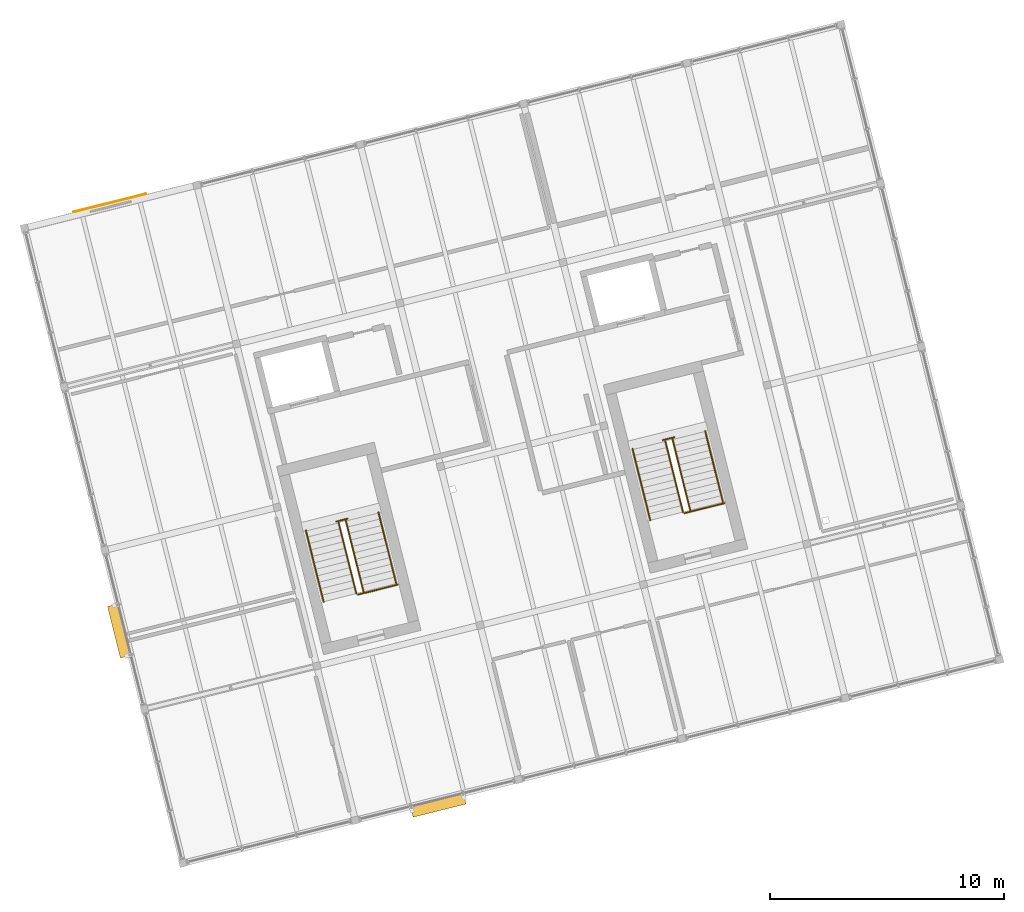
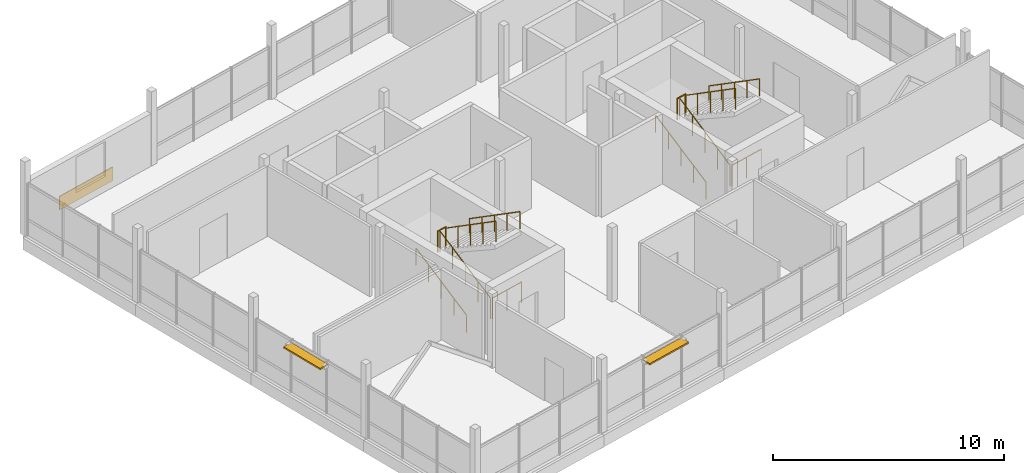
# One storey, part 25 of 25: 12 railings, 2 shading devices, 1 covering.
"""IFC4 building model written with IfcOpenShell, lengths in metres."""

from ifc_helpers import new_model, si_unit, direction, frame, origin, origin_2d, place, context, subcontext, project, spatial, rectangle, circle, extrude, material, layer, layer_set, type_object, element, save


model = new_model("IFC4")

# Units and contexts
model_context = context("Model", 3, precision=1e-05, world=origin(), true_north=direction((0.0, 1.0)))
body_context = subcontext(model_context, "Body", "Model", "MODEL_VIEW")
ifc_project = project(units=[si_unit("LENGTHUNIT", "METRE"), si_unit("AREAUNIT", "SQUARE_METRE"), si_unit("VOLUMEUNIT", "CUBIC_METRE"), si_unit("PLANEANGLEUNIT", "RADIAN"), si_unit("MASSUNIT", "GRAM", prefix="KILO")], contexts=[model_context])

# Site, building, storey
site_placement = place(None, origin())
site = spatial("IfcSite", under=ifc_project, at=site_placement, CompositionType="ELEMENT")
building_placement = place(site_placement, origin())
building = spatial("IfcBuilding", under=site, at=building_placement, Name="Meriwether Solvik Hall", CompositionType="ELEMENT")
storey_placement = place(building_placement, frame((0.0, 0.0, 53.39990234375)))
storey = spatial("IfcBuildingStorey", under=building, at=storey_placement, Name="L13", CompositionType="ELEMENT", Elevation=53.39990234375)

# Covering
ifc_material_1 = material(Name="Acetylated Charred Western Red Cedar Timber", Category="wood")
ifc_layer_1 = layer(ifc_material_1, 0.0400390625)
ifc_layer_set_1 = layer_set([ifc_layer_1], Name="Acetylated Charred Western Red Cedar Timber")
covering_type = type_object("IfcCoveringType", Name="COV-CLAD-TIMB", PredefinedType="CLADDING", material=ifc_layer_set_1)
covering_placement = place(storey_placement, frame((65.474609375, 69.44287109375, 0.080078125), z_axis=(0.0, 0.0, 1.0), x_axis=(0.970295720361, 0.241921919325, 0.0)))
element("IfcCovering", 1, at=covering_placement, inside=storey, type_object=covering_type, Name="L13 Charred Cedar Cladding 3.0", PredefinedType="CLADDING", context=body_context, shape_type="SweptSolid", body=[
    extrude(rectangle(XDim=3.199951171875, YDim=0.0400390625, at=origin_2d()), origin(), (0.0, 0.0, 1.0), 0.719970703125),
])

# Railings
ifc_material_2 = material(Name="Steel A36 Galvanised", Category="steel")
ifc_layer_2 = layer(ifc_material_2, 0.054931640625)
ifc_layer_set_2 = layer_set([ifc_layer_2], Name="Steel A36 Galvanised")
railing_type_1 = type_object("IfcRailingType", Name="RAIL-STR-GUARD", PredefinedType="GUARDRAIL", material=ifc_layer_set_2)
railing_1_placement = place(storey_placement, frame((75.158935546875, 55.81591796875, 1.9501953125)))
element("IfcRailing", 2, at=railing_1_placement, inside=storey, type_object=railing_type_1, Name="Stair ST-01 Landing Guardrail (L13)", PredefinedType="GUARDRAIL", context=body_context, shape_type="SweptSolid", body=[
    extrude(circle(Radius=0.02392578125, at=origin_2d()), frame((0.0, 0.0, 1.09619140625), z_axis=(0.970343250308, 0.241731207299, 0.0), x_axis=(-0.241731207299, 0.970343250308, 0.0)), (0.0, 0.0, 1.0), 0.5),
    extrude(circle(Radius=0.02099609375, at=origin_2d()), origin(), (0.0, 0.0, 1.0), 1.072021484375),
    extrude(circle(Radius=0.02099609375, at=origin_2d()), frame((0.485107421875, 0.120849609375, 0.0)), (0.0, 0.0, 1.0), 1.072021484375),
])
railing_2_placement = place(storey_placement, frame((76.092041015625, 52.69384765625, 0.0)))
element("IfcRailing", 3, at=railing_2_placement, inside=storey, type_object=railing_type_1, Name="Stair ST-01 Well Guardrail (L13)", PredefinedType="GUARDRAIL", context=body_context, shape_type="SweptSolid", body=[
    extrude(circle(Radius=0.02392578125, at=origin_2d()), frame((0.0, 0.0, 1.09619140625), z_axis=(0.970298223594, 0.241911879182, 0.0), x_axis=(-0.241911879182, 0.970298223594, 0.0)), (0.0, 0.0, 1.0), 1.75),
    extrude(circle(Radius=0.02099609375, at=origin_2d()), origin(), (0.0, 0.0, 1.0), 1.072021484375),
    extrude(circle(Radius=0.02099609375, at=origin_2d()), frame((0.84912109375, 0.211669921875, 0.0)), (0.0, 0.0, 1.0), 1.072021484375),
    extrude(circle(Radius=0.02099609375, at=origin_2d()), frame((1.697998046875, 0.42333984375, 0.0)), (0.0, 0.0, 1.0), 1.072021484375),
])
railing_3_placement = place(storey_placement, frame((76.019287109375, 52.737548828125, 0.0)))
element("IfcRailing", 4, at=railing_3_placement, inside=storey, type_object=railing_type_1, Name="Stair ST-01 Flight 1 Inner Guardrail (L13)", PredefinedType="GUARDRAIL", context=body_context, shape_type="SweptSolid", body=[
    extrude(circle(Radius=0.02392578125, at=origin_2d()), frame((0.0, 0.0, 1.09619140625), z_axis=(-0.205445032468, 0.823896074846, 0.528192764516), x_axis=(-0.970288906122, -0.2419492481, 0.0)), (0.0, 0.0, 1.0), 3.692138671875),
    extrude(circle(Radius=0.02099609375, at=origin_2d()), origin(), (0.0, 0.0, 1.0), 1.072021484375),
    extrude(circle(Radius=0.02099609375, at=origin_2d()), frame((-0.189697265625, 0.760498046875, 0.487548828125)), (0.0, 0.0, 1.0), 1.072021484375),
    extrude(circle(Radius=0.02099609375, at=origin_2d()), frame((-0.37939453125, 1.52099609375, 0.97509765625)), (0.0, 0.0, 1.0), 1.072021484375),
    extrude(circle(Radius=0.02099609375, at=origin_2d()), frame((-0.56884765625, 2.281494140625, 1.462646484375)), (0.0, 0.0, 1.0), 1.072021484375),
    extrude(circle(Radius=0.02099609375, at=origin_2d()), frame((-0.758544921875, 3.0419921875, 1.9501953125)), (0.0, 0.0, 1.0), 1.072021484375),
])
railing_4_placement = place(storey_placement, frame((75.5712890625, 55.85693359375, 1.9501953125)))
element("IfcRailing", 5, at=railing_4_placement, inside=storey, type_object=railing_type_1, Name="Stair ST-01 Flight 2 Inner Guardrail (L13)", PredefinedType="GUARDRAIL", context=body_context, shape_type="SweptSolid", body=[
    extrude(circle(Radius=0.02392578125, at=origin_2d()), frame((0.0, 0.0, 1.09619140625), z_axis=(0.205388872055, -0.823936041794, 0.528152260498), x_axis=(0.970307185051, 0.241875932325, 0.0)), (0.0, 0.0, 1.0), 3.692138671875),
    extrude(circle(Radius=0.02099609375, at=origin_2d()), origin(), (0.0, 0.0, 1.0), 1.072021484375),
    extrude(circle(Radius=0.02099609375, at=origin_2d()), frame((0.189453125, -0.760498046875, 0.487548828125)), (0.0, 0.0, 1.0), 1.072021484375),
    extrude(circle(Radius=0.02099609375, at=origin_2d()), frame((0.379150390625, -1.52099609375, 0.97509765625)), (0.0, 0.0, 1.0), 1.072021484375),
    extrude(circle(Radius=0.02099609375, at=origin_2d()), frame((0.56884765625, -2.281494140625, 1.46240234375)), (0.0, 0.0, 1.0), 1.072021484375),
    extrude(circle(Radius=0.02099609375, at=origin_2d()), frame((0.75830078125, -3.0419921875, 1.949951171875)), (0.0, 0.0, 1.0), 1.072021484375),
])
railing_5_placement = place(storey_placement, frame((89.131103515625, 59.299560546875, 1.9501953125)))
element("IfcRailing", 6, at=railing_5_placement, inside=storey, type_object=railing_type_1, Name="Stair ST-02 Landing Guardrail (L13)", PredefinedType="GUARDRAIL", context=body_context, shape_type="SweptSolid", body=[
    extrude(circle(Radius=0.02392578125, at=origin_2d()), frame((0.0, 0.0, 1.09619140625), z_axis=(0.970228607419, 0.242190935722, 0.0), x_axis=(-0.242190935722, 0.970228607419, 0.0)), (0.0, 0.0, 1.0), 0.5),
    extrude(circle(Radius=0.02099609375, at=origin_2d()), origin(), (0.0, 0.0, 1.0), 1.072021484375),
    extrude(circle(Radius=0.02099609375, at=origin_2d()), frame((0.485107421875, 0.12109375, 0.0)), (0.0, 0.0, 1.0), 1.072021484375),
])
railing_6_placement = place(storey_placement, frame((90.064208984375, 56.177490234375, 0.0)))
element("IfcRailing", 7, at=railing_6_placement, inside=storey, type_object=railing_type_1, Name="Stair ST-02 Well Guardrail (L13)", PredefinedType="GUARDRAIL", context=body_context, shape_type="SweptSolid", body=[
    extrude(circle(Radius=0.02392578125, at=origin_2d()), frame((0.0, 0.0, 1.09619140625), z_axis=(0.970298223594, 0.241911879182, 0.0), x_axis=(-0.241911879182, 0.970298223594, 0.0)), (0.0, 0.0, 1.0), 1.75),
    extrude(circle(Radius=0.02099609375, at=origin_2d()), origin(), (0.0, 0.0, 1.0), 1.072021484375),
    extrude(circle(Radius=0.02099609375, at=origin_2d()), frame((0.84912109375, 0.211669921875, 0.0)), (0.0, 0.0, 1.0), 1.072021484375),
    extrude(circle(Radius=0.02099609375, at=origin_2d()), frame((1.697998046875, 0.42333984375, 0.0)), (0.0, 0.0, 1.0), 1.072021484375),
])
railing_7_placement = place(storey_placement, frame((89.991455078125, 56.22119140625, 0.0)))
element("IfcRailing", 8, at=railing_7_placement, inside=storey, type_object=railing_type_1, Name="Stair ST-02 Flight 1 Inner Guardrail (L13)", PredefinedType="GUARDRAIL", context=body_context, shape_type="SweptSolid", body=[
    extrude(circle(Radius=0.02392578125, at=origin_2d()), frame((0.0, 0.0, 1.09619140625), z_axis=(-0.205445032468, 0.823896074846, 0.528192764516), x_axis=(-0.970288906122, -0.2419492481, 0.0)), (0.0, 0.0, 1.0), 3.692138671875),
    extrude(circle(Radius=0.02099609375, at=origin_2d()), origin(), (0.0, 0.0, 1.0), 1.072021484375),
    extrude(circle(Radius=0.02099609375, at=origin_2d()), frame((-0.189697265625, 0.760498046875, 0.487548828125)), (0.0, 0.0, 1.0), 1.072021484375),
    extrude(circle(Radius=0.02099609375, at=origin_2d()), frame((-0.37939453125, 1.52099609375, 0.97509765625)), (0.0, 0.0, 1.0), 1.072021484375),
    extrude(circle(Radius=0.02099609375, at=origin_2d()), frame((-0.56884765625, 2.281494140625, 1.462646484375)), (0.0, 0.0, 1.0), 1.072021484375),
    extrude(circle(Radius=0.02099609375, at=origin_2d()), frame((-0.758544921875, 3.0419921875, 1.9501953125)), (0.0, 0.0, 1.0), 1.072021484375),
])
railing_8_placement = place(storey_placement, frame((89.54345703125, 59.340576171875, 1.9501953125)))
element("IfcRailing", 9, at=railing_8_placement, inside=storey, type_object=railing_type_1, Name="Stair ST-02 Flight 2 Inner Guardrail (L13)", PredefinedType="GUARDRAIL", context=body_context, shape_type="SweptSolid", body=[
    extrude(circle(Radius=0.02392578125, at=origin_2d()), frame((0.0, 0.0, 1.09619140625), z_axis=(0.205452207734, -0.823924849814, 0.528145086313), x_axis=(0.970288906122, 0.2419492481, 0.0)), (0.0, 0.0, 1.0), 3.692138671875),
    extrude(circle(Radius=0.02099609375, at=origin_2d()), origin(), (0.0, 0.0, 1.0), 1.072021484375),
    extrude(circle(Radius=0.02099609375, at=origin_2d()), frame((0.189697265625, -0.760498046875, 0.487548828125)), (0.0, 0.0, 1.0), 1.072021484375),
    extrude(circle(Radius=0.02099609375, at=origin_2d()), frame((0.37939453125, -1.52099609375, 0.97509765625)), (0.0, 0.0, 1.0), 1.072021484375),
    extrude(circle(Radius=0.02099609375, at=origin_2d()), frame((0.56884765625, -2.281494140625, 1.46240234375)), (0.0, 0.0, 1.0), 1.072021484375),
    extrude(circle(Radius=0.02099609375, at=origin_2d()), frame((0.758544921875, -3.0419921875, 1.949951171875)), (0.0, 0.0, 1.0), 1.072021484375),
])
ifc_material_3 = material(Name="Stainless Steel AISI 316", Category="steel")
ifc_layer_3 = layer(ifc_material_3, 0.044921875)
ifc_layer_set_3 = layer_set([ifc_layer_3], Name="Stainless Steel AISI 316")
railing_type_2 = type_object("IfcRailingType", Name="RAIL-STR-HAND", PredefinedType="HANDRAIL", material=ifc_layer_set_3)
railing_9_placement = place(storey_placement, frame((74.6220703125, 52.38916015625, 0.0)))
element("IfcRailing", 10, at=railing_9_placement, inside=storey, type_object=railing_type_2, Name="Stair ST-01 Lower Handrail (L13)", PredefinedType="HANDRAIL", context=body_context, shape_type="SweptSolid", body=[
    extrude(circle(Radius=0.02392578125, at=origin_2d()), frame((0.0, 0.0, 0.89599609375), z_axis=(-0.205467106702, 0.823914517495, 0.528155408876), x_axis=(-0.970284074567, -0.241968623258, 0.0)), (0.0, 0.0, 1.0), 3.698974609375),
    extrude(circle(Radius=0.02099609375, at=origin_2d()), origin(), (0.0, 0.0, 1.0), 0.871826171875),
    extrude(circle(Radius=0.02099609375, at=origin_2d()), frame((-0.18994140625, 0.761962890625, 0.48828125)), (0.0, 0.0, 1.0), 0.871826171875),
    extrude(circle(Radius=0.02099609375, at=origin_2d()), frame((-0.3798828125, 1.52392578125, 0.976806640625)), (0.0, 0.0, 1.0), 0.871826171875),
    extrude(circle(Radius=0.02099609375, at=origin_2d()), frame((-0.570068359375, 2.28564453125, 1.46533203125)), (0.0, 0.0, 1.0), 0.871826171875),
    extrude(circle(Radius=0.02099609375, at=origin_2d()), frame((-0.760009765625, 3.047607421875, 1.95361328125)), (0.0, 0.0, 1.0), 0.871826171875),
])
railing_10_placement = place(storey_placement, frame((76.968505859375, 56.205322265625, 1.9501953125)))
element("IfcRailing", 11, at=railing_10_placement, inside=storey, type_object=railing_type_2, Name="Stair ST-01 Upper Handrail (L13)", PredefinedType="HANDRAIL", context=body_context, shape_type="SweptSolid", body=[
    extrude(circle(Radius=0.02392578125, at=origin_2d()), frame((0.0, 0.0, 0.89599609375), z_axis=(0.205403888919, -0.823925689387, 0.528162570414), x_axis=(0.970302321101, 0.241895443665, 0.0)), (0.0, 0.0, 1.0), 3.698974609375),
    extrude(circle(Radius=0.02099609375, at=origin_2d()), origin(), (0.0, 0.0, 1.0), 0.871826171875),
    extrude(circle(Radius=0.02099609375, at=origin_2d()), frame((0.18994140625, -0.761962890625, 0.48828125)), (0.0, 0.0, 1.0), 0.871826171875),
    extrude(circle(Radius=0.02099609375, at=origin_2d()), frame((0.3798828125, -1.52392578125, 0.976806640625)), (0.0, 0.0, 1.0), 0.871826171875),
    extrude(circle(Radius=0.02099609375, at=origin_2d()), frame((0.56982421875, -2.28564453125, 1.46533203125)), (0.0, 0.0, 1.0), 0.871826171875),
    extrude(circle(Radius=0.02099609375, at=origin_2d()), frame((0.759765625, -3.047607421875, 1.95361328125)), (0.0, 0.0, 1.0), 0.871826171875),
])
railing_11_placement = place(storey_placement, frame((88.59423828125, 55.872802734375, 0.0)))
element("IfcRailing", 12, at=railing_11_placement, inside=storey, type_object=railing_type_2, Name="Stair ST-02 Lower Handrail (L13)", PredefinedType="HANDRAIL", context=body_context, shape_type="SweptSolid", body=[
    extrude(circle(Radius=0.02392578125, at=origin_2d()), frame((0.0, 0.0, 0.89599609375), z_axis=(-0.205403888919, 0.823925689387, 0.528162570414), x_axis=(-0.970302321101, -0.241895443665, 0.0)), (0.0, 0.0, 1.0), 3.698974609375),
    extrude(circle(Radius=0.02099609375, at=origin_2d()), origin(), (0.0, 0.0, 1.0), 0.871826171875),
    extrude(circle(Radius=0.02099609375, at=origin_2d()), frame((-0.18994140625, 0.761962890625, 0.48828125)), (0.0, 0.0, 1.0), 0.871826171875),
    extrude(circle(Radius=0.02099609375, at=origin_2d()), frame((-0.3798828125, 1.52392578125, 0.976806640625)), (0.0, 0.0, 1.0), 0.871826171875),
    extrude(circle(Radius=0.02099609375, at=origin_2d()), frame((-0.56982421875, 2.28564453125, 1.46533203125)), (0.0, 0.0, 1.0), 0.871826171875),
    extrude(circle(Radius=0.02099609375, at=origin_2d()), frame((-0.759765625, 3.047607421875, 1.95361328125)), (0.0, 0.0, 1.0), 0.871826171875),
])
railing_12_placement = place(storey_placement, frame((90.940673828125, 59.68896484375, 1.9501953125)))
element("IfcRailing", 13, at=railing_12_placement, inside=storey, type_object=railing_type_2, Name="Stair ST-02 Upper Handrail (L13)", PredefinedType="HANDRAIL", context=body_context, shape_type="SweptSolid", body=[
    extrude(circle(Radius=0.02392578125, at=origin_2d()), frame((0.0, 0.0, 0.89599609375), z_axis=(0.205467106702, -0.823914517495, 0.528155408876), x_axis=(0.970284074567, 0.241968623258, 0.0)), (0.0, 0.0, 1.0), 3.698974609375),
    extrude(circle(Radius=0.02099609375, at=origin_2d()), origin(), (0.0, 0.0, 1.0), 0.871826171875),
    extrude(circle(Radius=0.02099609375, at=origin_2d()), frame((0.18994140625, -0.761962890625, 0.48828125)), (0.0, 0.0, 1.0), 0.871826171875),
    extrude(circle(Radius=0.02099609375, at=origin_2d()), frame((0.3798828125, -1.52392578125, 0.976806640625)), (0.0, 0.0, 1.0), 0.871826171875),
    extrude(circle(Radius=0.02099609375, at=origin_2d()), frame((0.570068359375, -2.28564453125, 1.46533203125)), (0.0, 0.0, 1.0), 0.871826171875),
    extrude(circle(Radius=0.02099609375, at=origin_2d()), frame((0.760009765625, -3.047607421875, 1.95361328125)), (0.0, 0.0, 1.0), 0.871826171875),
])

# Shading devices
ifc_material_4 = material(Name="Anodised Aluminium 6063-T6", Category="aluminium")
shading_device_type_1 = type_object("IfcShadingDeviceType", Name="SHD-LOUVRE-S", PredefinedType="SHUTTER", material=ifc_material_4)
shading_device_1_placement = place(storey_placement, frame((79.525390625, 43.6767578125, 2.510009765625), z_axis=(0.0, 0.0, 1.0), x_axis=(-0.970295730764, -0.241921877598, 0.0)))
element("IfcShadingDevice", 14, at=shading_device_1_placement, inside=storey, type_object=shading_device_type_1, Name="Solar Shading Louvre E0_B1", PredefinedType="SHUTTER", context=body_context, shape_type="SweptSolid", body=[
    extrude(rectangle(XDim=2.339111328125, YDim=0.4599609375, at=origin_2d()), origin(), (0.0, 0.0, 1.0), 0.080078125),
])
ifc_material_5 = material(Name="Anodised Aluminium 6063-T6", Category="aluminium")
shading_device_type_2 = type_object("IfcShadingDeviceType", Name="SHD-LOUVRE-W", PredefinedType="USERDEFINED", material=ifc_material_5)
shading_device_2_placement = place(storey_placement, frame((65.875244140625, 51.135986328125, 2.510009765625), z_axis=(0.0, 0.0, 1.0), x_axis=(-0.241921784185, 0.970295754055, 0.0)))
element("IfcShadingDevice", 15, at=shading_device_2_placement, inside=storey, type_object=shading_device_type_2, Name="Solar Shading Louvre E3_B1", ObjectType="LOUVER", PredefinedType="USERDEFINED", context=body_context, shape_type="SweptSolid", body=[
    extrude(rectangle(XDim=2.272216796875, YDim=0.4599609375, at=origin_2d()), origin(), (0.0, 0.0, 1.0), 0.080078125),
])

save(model, "model.ifc")
